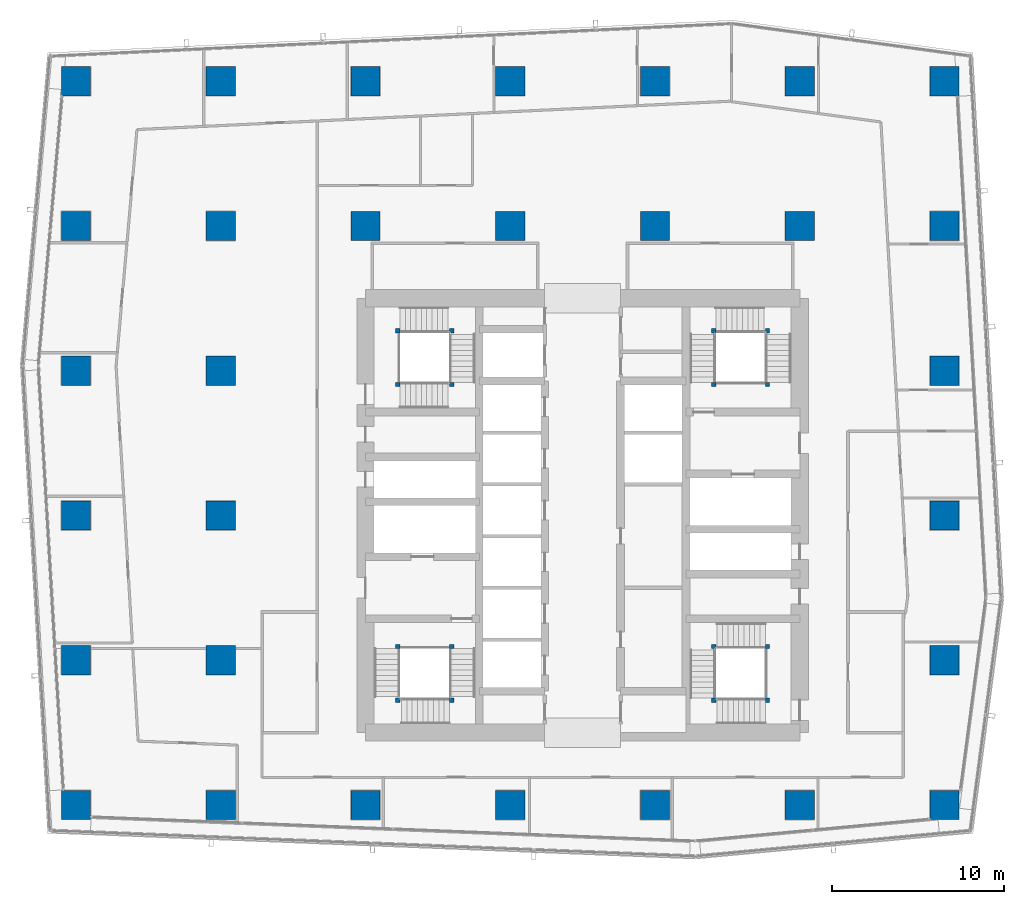
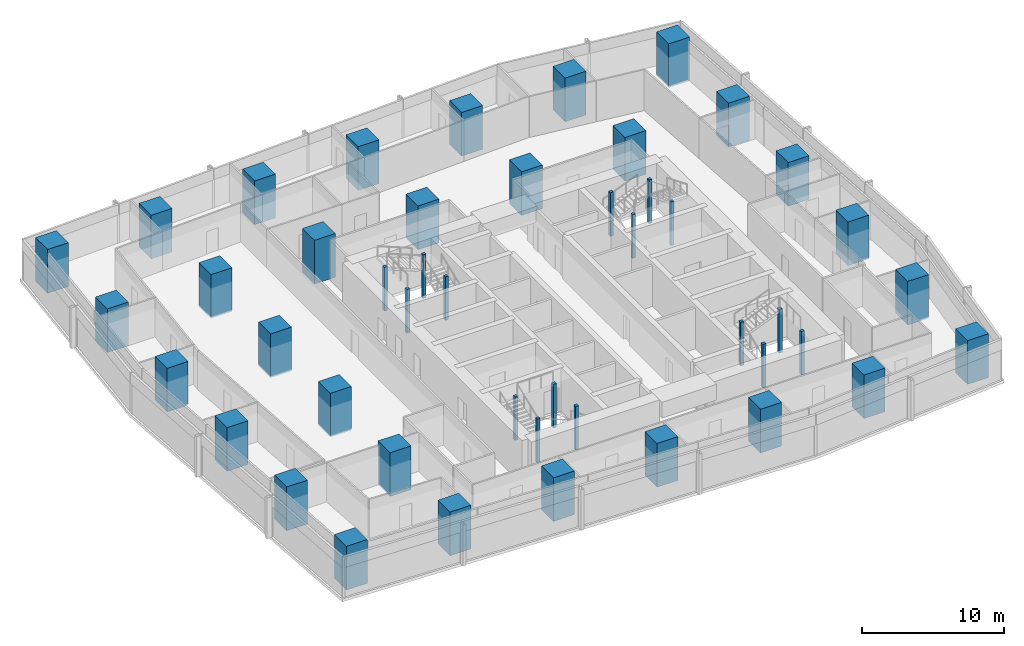
# One storey, part 1 of 39: 46 columns.
"""IFC4 building model written with IfcOpenShell, lengths in metres."""

from ifc_helpers import new_model, si_unit, direction, frame, origin, origin_2d, place, context, subcontext, project, spatial, rectangle, extrude, material, material_profile, profile_set, type_object, element, save


model = new_model("IFC4")

# Units and contexts
model_context = context("Model", 3, precision=1e-05, world=origin(), true_north=direction((0.0, 1.0)))
body_context = subcontext(model_context, "Body", "Model", "MODEL_VIEW")
ifc_project = project(units=[si_unit("LENGTHUNIT", "METRE"), si_unit("AREAUNIT", "SQUARE_METRE"), si_unit("VOLUMEUNIT", "CUBIC_METRE"), si_unit("PLANEANGLEUNIT", "RADIAN"), si_unit("MASSUNIT", "GRAM", prefix="KILO")], contexts=[model_context])

# Site, building, storey
site_placement = place(None, origin())
site = spatial("IfcSite", under=ifc_project, at=site_placement, CompositionType="ELEMENT")
building_placement = place(site_placement, origin())
building = spatial("IfcBuilding", under=site, at=building_placement, Name="Rekha Terrace Tower", CompositionType="ELEMENT")
storey_placement = place(building_placement, frame((0.0, 0.0, 180.199951171875)))
storey = spatial("IfcBuildingStorey", under=building, at=storey_placement, Name="L45", CompositionType="ELEMENT", Elevation=180.199951171875)

# Columns
ifc_material_1 = material(Name="Concrete M70", Category="concrete")
ifc_material_profile_1 = material_profile(ifc_material_1, rectangle(XDim=1.699951171875, YDim=1.699951171875, at=origin_2d()), Name="RC 1700x1700")
ifc_profile_set_1 = profile_set([ifc_material_profile_1], Name="Concrete M70")
column_type_1 = type_object("IfcColumnType", Name="C4C 1700x1700 column", PredefinedType="COLUMN", material=ifc_profile_set_1)
for number, where, z_axis, x_axis, name in (
    (1, (8.39990234375, 16.800048828125, 0.0), (0.0, 0.0, 1.0), (1.0, 0.0, 0.0), "Column C4C 2/C L45"),
    (2, (8.39990234375, 25.199951171875, 0.0), (0.0, 0.0, 1.0), (1.0, 0.0, 0.0), "Column C4C 2/D L45"),
    (3, (8.39990234375, 33.60009765625, 0.0), (0.0, 0.0, 1.0), (1.0, 0.0, 0.0), "Column C4C 2/E L45"),
    (4, (8.39990234375, 42.0, 0.0), (0.0, 0.0, 1.0), (1.0, 0.0, 0.0), "Column C4C 2/F L45"),
    (5, (8.39990234375, 50.39990234375, 0.0), (0.0, 0.0, 1.0), (1.0, 0.0, 0.0), "Column C4C 2/G L45"),
    (6, (8.39990234375, 58.800048828125, 0.0), (0.0, 0.0, 1.0), (1.0, 0.0, 0.0), "Column C4C 2/H L45"),
    (7, (16.800048828125, 16.800048828125, 0.0), (0.0, 0.0, 1.0), (1.0, 0.0, 0.0), "Column C4C 3/C L45"),
    (8, (16.800048828125, 25.199951171875, 0.0), (0.0, 0.0, 1.0), (1.0, 0.0, 0.0), "Column C4C 3/D L45"),
    (9, (16.800048828125, 33.60009765625, 0.0), (0.0, 0.0, 1.0), (1.0, 0.0, 0.0), "Column C4C 3/E L45"),
    (10, (16.800048828125, 42.0, 0.0), (0.0, 0.0, 1.0), (1.0, 0.0, 0.0), "Column C4C 3/F L45"),
    (11, (16.800048828125, 50.39990234375, 0.0), (0.0, 0.0, 1.0), (1.0, 0.0, 0.0), "Column C4C 3/G L45"),
    (12, (16.800048828125, 58.800048828125, 0.0), (0.0, 0.0, 1.0), (1.0, 0.0, 0.0), "Column C4C 3/H L45"),
    (13, (25.199951171875, 16.800048828125, 0.0), (0.0, 0.0, 1.0), (1.0, 0.0, 0.0), "Column C4C 4/C L45"),
    (14, (25.199951171875, 50.39990234375, 0.0), (0.0, 0.0, 1.0), (1.0, 0.0, 0.0), "Column C4C 4/G L45"),
    (15, (25.199951171875, 58.800048828125, 0.0), (0.0, 0.0, 1.0), (1.0, 0.0, 0.0), "Column C4C 4/H L45"),
    (16, (33.60009765625, 16.800048828125, 0.0), (0.0, 0.0, 1.0), (1.0, 0.0, 0.0), "Column C4C 5/C L45"),
    (17, (33.60009765625, 50.39990234375, 0.0), (0.0, 0.0, 1.0), (1.0, 0.0, 0.0), "Column C4C 5/G L45"),
    (18, (33.60009765625, 58.800048828125, 0.0), (0.0, 0.0, 1.0), (1.0, 0.0, 0.0), "Column C4C 5/H L45"),
    (19, (42.0, 16.800048828125, 0.0), (0.0, 0.0, 1.0), (1.0, 0.0, 0.0), "Column C4C 6/C L45"),
    (20, (42.0, 50.39990234375, 0.0), (0.0, 0.0, 1.0), (1.0, 0.0, 0.0), "Column C4C 6/G L45"),
    (21, (42.0, 58.800048828125, 0.0), (0.0, 0.0, 1.0), (1.0, 0.0, 0.0), "Column C4C 6/H L45"),
    (22, (50.39990234375, 16.800048828125, 0.0), (0.0, 0.0, 1.0), (1.0, 0.0, 0.0), "Column C4C 7/C L45"),
    (23, (50.39990234375, 50.39990234375, 0.0), (0.0, 0.0, 1.0), (1.0, 0.0, 0.0), "Column C4C 7/G L45"),
    (24, (50.39990234375, 58.800048828125, 0.0), (0.0, 0.0, 1.0), (1.0, 0.0, 0.0), "Column C4C 7/H L45"),
    (25, (58.800048828125, 16.800048828125, 0.0), (0.0, 0.0, 1.0), (1.0, 0.0, 0.0), "Column C4C 8/C L45"),
    (26, (58.800048828125, 25.199951171875, 0.0), (0.0, 0.0, 1.0), (1.0, 0.0, 0.0), "Column C4C 8/D L45"),
    (27, (58.800048828125, 33.60009765625, 0.0), (0.0, 0.0, 1.0), (1.0, 0.0, 0.0), "Column C4C 8/E L45"),
    (28, (58.800048828125, 42.0, 0.0), (0.0, 0.0, 1.0), (1.0, 0.0, 0.0), "Column C4C 8/F L45"),
    (29, (58.800048828125, 50.39990234375, 0.0), (0.0, 0.0, 1.0), (1.0, 0.0, 0.0), "Column C4C 8/G L45"),
    (30, (58.800048828125, 58.800048828125, 0.0), (0.0, 0.0, 1.0), (1.0, 0.0, 0.0), "Column C4C 8/H L45"),
):
    element("IfcColumn", number, at=place(storey_placement, frame(where, z_axis=z_axis, x_axis=x_axis)), inside=storey, type_object=column_type_1, Name=name, PredefinedType="COLUMN", context=body_context, shape_type="SweptSolid", body=[
        extrude(rectangle(XDim=1.699951171875, YDim=1.699951171875, at=origin_2d()), origin(), (0.0, 0.0, 1.0), 3.75),
    ])
ifc_material_2 = material(Name="Concrete M60", Category="concrete")
ifc_material_profile_2 = material_profile(ifc_material_2, rectangle(XDim=0.25, YDim=0.25, at=origin_2d()), Name="RC 250x250")
ifc_profile_set_2 = profile_set([ifc_material_profile_2], Name="Concrete M60")
column_type_2 = type_object("IfcColumnType", Name="NP1 250x250 stair newel post", PredefinedType="COLUMN", material=ifc_profile_set_2)
for number, where, z_axis, x_axis, name in (
    (31, (30.199951171875, 26.0, 0.0), (0.0, 0.0, 1.0), (1.0, 0.0, 0.0), "Stair newel post NP1"),
    (32, (30.199951171875, 22.875, 0.0), (0.0, 0.0, 1.0), (1.0, 0.0, 0.0), "Stair newel post NP1"),
    (33, (27.074951171875, 22.875, 0.0), (0.0, 0.0, 1.0), (1.0, 0.0, 0.0), "Stair newel post NP1"),
    (34, (27.074951171875, 26.0, 0.0), (0.0, 0.0, 1.0), (1.0, 0.0, 0.0), "Stair newel post NP1"),
    (35, (45.39990234375, 41.199951171875, 0.0), (0.0, 0.0, 1.0), (1.0, 0.0, 0.0), "Stair newel post NP1"),
    (36, (45.39990234375, 44.324951171875, 0.0), (0.0, 0.0, 1.0), (1.0, 0.0, 0.0), "Stair newel post NP1"),
    (37, (48.52490234375, 44.324951171875, 0.0), (0.0, 0.0, 1.0), (1.0, 0.0, 0.0), "Stair newel post NP1"),
    (38, (48.52490234375, 41.199951171875, 0.0), (0.0, 0.0, 1.0), (1.0, 0.0, 0.0), "Stair newel post NP1"),
    (39, (48.52490234375, 22.875, 0.0), (0.0, 0.0, 1.0), (1.0, 0.0, 0.0), "Stair newel post NP1"),
    (40, (45.39990234375, 22.875, 0.0), (0.0, 0.0, 1.0), (1.0, 0.0, 0.0), "Stair newel post NP1"),
    (41, (45.39990234375, 26.0, 0.0), (0.0, 0.0, 1.0), (1.0, 0.0, 0.0), "Stair newel post NP1"),
    (42, (48.52490234375, 26.0, 0.0), (0.0, 0.0, 1.0), (1.0, 0.0, 0.0), "Stair newel post NP1"),
    (43, (27.074951171875, 41.199951171875, 0.0), (0.0, 0.0, 1.0), (1.0, 0.0, 0.0), "Stair newel post NP1"),
    (44, (30.199951171875, 41.199951171875, 0.0), (0.0, 0.0, 1.0), (1.0, 0.0, 0.0), "Stair newel post NP1"),
    (45, (30.199951171875, 44.324951171875, 0.0), (0.0, 0.0, 1.0), (1.0, 0.0, 0.0), "Stair newel post NP1"),
    (46, (27.074951171875, 44.324951171875, 0.0), (0.0, 0.0, 1.0), (1.0, 0.0, 0.0), "Stair newel post NP1"),
):
    element("IfcColumn", number, at=place(storey_placement, frame(where, z_axis=z_axis, x_axis=x_axis)), inside=storey, type_object=column_type_2, Name=name, PredefinedType="COLUMN", context=body_context, shape_type="SweptSolid", body=[
        extrude(rectangle(XDim=0.25, YDim=0.25, at=origin_2d()), origin(), (0.0, 0.0, 1.0), 3.75),
    ])

save(model, "model.ifc")
